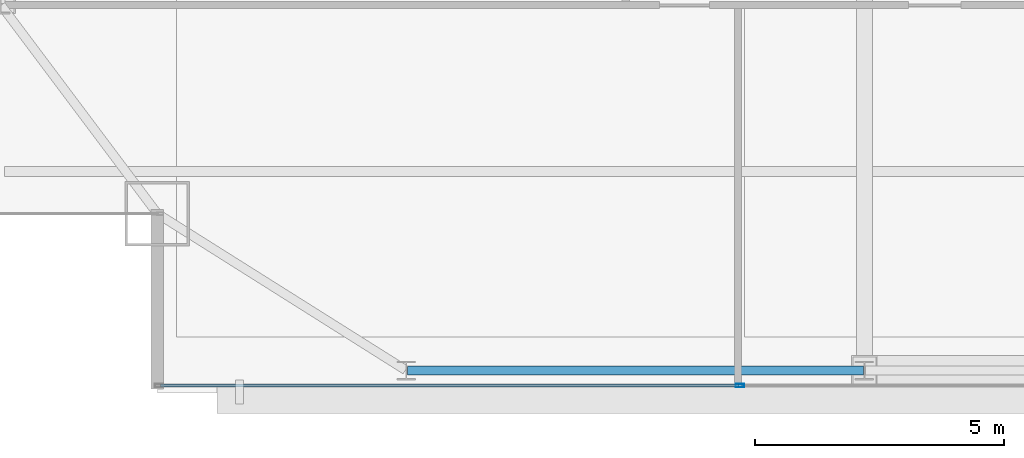
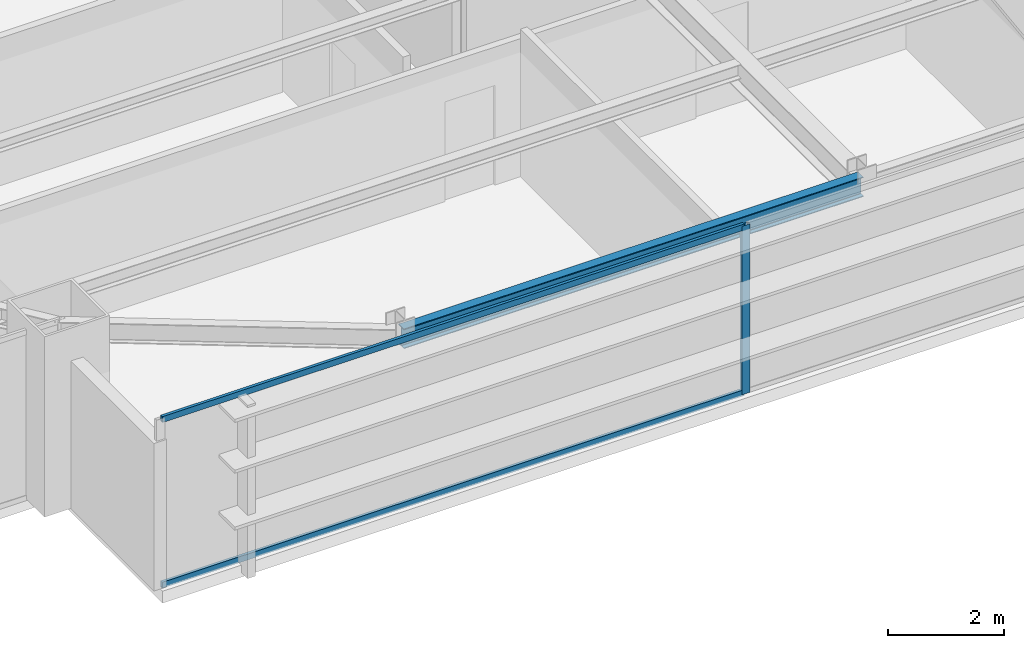
# One storey, part 5 of 30: 3 members, 1 beam, 1 element without a shape of its own.
"""IFC4 building model written with IfcOpenShell, lengths in metres."""

from ifc_helpers import new_model, si_unit, direction, frame, origin, origin_2d, place, context, subcontext, project, spatial, hollow_rectangle, i_section, extrude, source, transform, mapped, material, layer, layer_set, material_profile, profile_set, type_object, type_shapes, element, aggregate, save


model = new_model("IFC4")

# Units and contexts
model_context = context("Model", 3, precision=1e-05, world=origin(), true_north=direction((0.0, 1.0)))
body_context = subcontext(model_context, "Body", "Model", "MODEL_VIEW")
ifc_project = project(units=[si_unit("LENGTHUNIT", "METRE"), si_unit("AREAUNIT", "SQUARE_METRE"), si_unit("VOLUMEUNIT", "CUBIC_METRE"), si_unit("PLANEANGLEUNIT", "RADIAN"), si_unit("MASSUNIT", "GRAM", prefix="KILO")], contexts=[model_context])

# Site, building, storey
site_placement = place(None, origin())
site = spatial("IfcSite", under=ifc_project, at=site_placement, CompositionType="ELEMENT")
building_placement = place(site_placement, origin())
building = spatial("IfcBuilding", under=site, at=building_placement, Name="Varnel Quay Broadcast Tower", CompositionType="ELEMENT")
storey_placement = place(building_placement, frame((0.0, 0.0, 180.0)))
storey = spatial("IfcBuildingStorey", under=building, at=storey_placement, Name="L44", CompositionType="ELEMENT", Elevation=180.0)

# Beam
ifc_material_1 = material(Name="Structural Steel CSA G40.21 350W", Category="steel")
ifc_material_profile_1 = material_profile(ifc_material_1, i_section(OverallWidth=0.180908203125, OverallDepth=0.4169921875, WebThickness=0.010986328125, FlangeThickness=0.018310546875, FilletRadius=0.011962890625, at=origin_2d()), Name="W410X85")
ifc_profile_set_1 = profile_set([ifc_material_profile_1], Name="Structural Steel CSA G40.21 350W")
beam_type = type_object("IfcBeamType", Name="Beam_W410X85", PredefinedType="SPANDREL", material=ifc_profile_set_1)
shared_shape_1 = source(origin(), body_context, "Body", "SweptSolid", [
    extrude(i_section(OverallWidth=0.180908203125, OverallDepth=0.4169921875, WebThickness=0.010986328125, FlangeThickness=0.018310546875, FilletRadius=0.011962890625, at=origin_2d()), origin(), (0.0, 0.0, 1.0), 9.159912109375),
])
type_shapes(beam_type, [shared_shape_1])
beam_placement = place(storey_placement, frame((15.6201171875, 7.64990234375, 3.341552734375), z_axis=(1.0, 0.0, 0.0), x_axis=(0.0, 1.0, 0.0)))
element("IfcBeam", 1, at=beam_placement, inside=storey, type_object=beam_type, Name="L44 South Spandrel TC-S1-TC-S2", PredefinedType="SPANDREL", context=body_context, shape_type="MappedRepresentation", body=[
    mapped(shared_shape_1, transform((0.0, 0.0, 0.0), x_axis=(1.0, 0.0, 0.0), y_axis=(0.0, 1.0, 0.0), z_axis=(0.0, 0.0, 1.0), scale=1.0)),
])

# Curtain wall, members
ifc_material_2 = material(Name="Anodised Bronze Aluminium 6063-T6", Category="aluminium")
ifc_layer = layer(ifc_material_2, 0.18994140625, Name="Anodised Bronze Aluminium 6063-T6")
ifc_layer_set = layer_set([ifc_layer], Name="Anodised Bronze Aluminium 6063-T6")
curtain_wall_type = type_object("IfcCurtainWallType", Name="CW_UpperTower", PredefinedType="NOTDEFINED", material=ifc_layer_set)
curtain_wall_placement = place(storey_placement, origin())
curtain_wall = element("IfcCurtainWall", 2, at=curtain_wall_placement, inside=storey, type_object=curtain_wall_type, Name="L44 South Unitised Curtain Wall 1", PredefinedType="NOTDEFINED")
ifc_material_profile_2 = material_profile(ifc_material_2, hollow_rectangle(XDim=0.06494140625, YDim=0.1650390625, WallThickness=0.00341796875, at=origin_2d()), Name="ALU65X165X3.5")
ifc_profile_set_2 = profile_set([ifc_material_profile_2], Name="Anodised Bronze Aluminium 6063-T6")
member_type_1 = type_object("IfcMemberType", Name="Mull_CWS-03", PredefinedType="MULLION", material=ifc_profile_set_2)
shared_shape_2 = source(origin(), body_context, "Body", "SweptSolid", [
    extrude(hollow_rectangle(XDim=0.06494140625, YDim=0.1650390625, WallThickness=0.00341796875, at=origin_2d()), origin(), (0.0, 0.0, 1.0), 3.550048828125),
])
type_shapes(member_type_1, [shared_shape_2])
member_1_placement = place(storey_placement, frame((22.300048828125, 7.35009765625, 0.0), z_axis=(0.0, 0.0, 1.0), x_axis=(0.0, 1.0, 0.0)))
member_1 = element("IfcMember", 3, at=member_1_placement, type_object=member_type_1, Name="CWS-03 mullion 2", PredefinedType="MULLION", context=body_context, shape_type="MappedRepresentation", body=[
    mapped(shared_shape_2, transform((0.0, 0.0, 0.0), x_axis=(1.0, 0.0, 0.0), y_axis=(0.0, 1.0, 0.0), z_axis=(0.0, 0.0, 1.0), scale=1.0)),
])
ifc_material_profile_3 = material_profile(ifc_material_2, hollow_rectangle(XDim=0.06005859375, YDim=0.125, WallThickness=0.0029296875, at=origin_2d()), Name="ALU60X125X3")
ifc_profile_set_3 = profile_set([ifc_material_profile_3], Name="Anodised Bronze Aluminium 6063-T6")
member_type_2 = type_object("IfcMemberType", Name="Tran_CWS-03", PredefinedType="USERDEFINED", material=ifc_profile_set_3)
shared_shape_3 = source(origin(), body_context, "Body", "SweptSolid", [
    extrude(hollow_rectangle(XDim=0.06005859375, YDim=0.125, WallThickness=0.0029296875, at=origin_2d()), origin(), (0.0, 0.0, 1.0), 11.6025390625),
])
type_shapes(member_type_2, [shared_shape_3])
member_2_placement = place(storey_placement, frame((10.6650390625, 7.35009765625, 0.030029296875), z_axis=(1.0, 0.0, 0.0), x_axis=(0.0, 1.0, 0.0)))
member_2 = element("IfcMember", 4, at=member_2_placement, type_object=member_type_2, Name="CWS-03 transom 1.1", ObjectType="TRANSOM", PredefinedType="USERDEFINED", context=body_context, shape_type="MappedRepresentation", body=[
    mapped(shared_shape_3, transform((0.0, 0.0, 0.0), x_axis=(1.0, 0.0, 0.0), y_axis=(0.0, 1.0, 0.0), z_axis=(0.0, 0.0, 1.0), scale=1.0)),
])
member_3_placement = place(storey_placement, frame((10.6650390625, 7.35009765625, 3.52001953125), z_axis=(1.0, 0.0, 0.0), x_axis=(0.0, 1.0, 0.0)))
member_3 = element("IfcMember", 5, at=member_3_placement, type_object=member_type_2, Name="CWS-03 transom 1.2", ObjectType="TRANSOM", PredefinedType="USERDEFINED", context=body_context, shape_type="MappedRepresentation", body=[
    mapped(shared_shape_3, transform((0.0, 0.0, 0.0), x_axis=(1.0, 0.0, 0.0), y_axis=(0.0, 1.0, 0.0), z_axis=(0.0, 0.0, 1.0), scale=1.0)),
])
aggregate(curtain_wall, [member_1, member_2, member_3])

save(model, "model.ifc")
